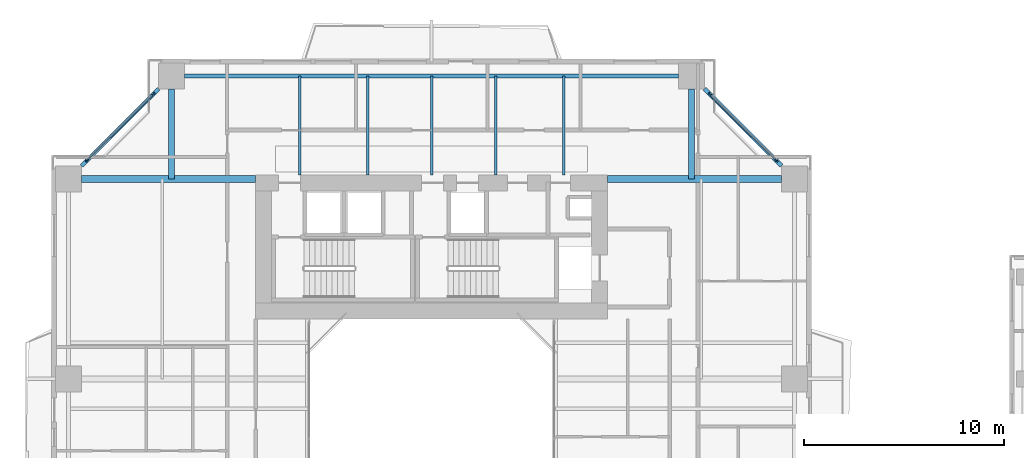
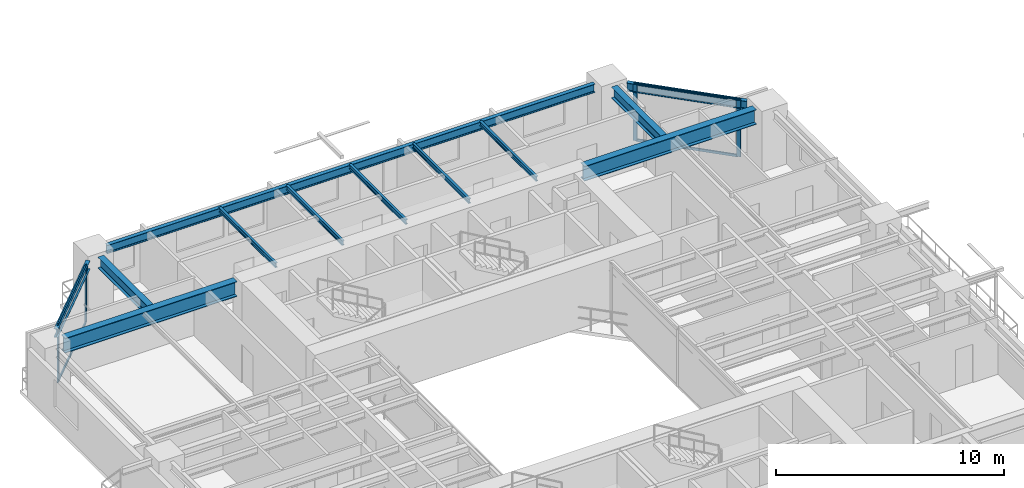
# One storey, part 9 of 23: 12 beams, 8 members, 2 elements without a shape of their own.
"""IFC4 building model written with IfcOpenShell, lengths in metres."""

from ifc_helpers import new_model, si_unit, direction, frame, origin, origin_2d, place, context, subcontext, project, spatial, rectangle, i_section, extrude, source, transform, mapped, material, layer, layer_set, material_profile, profile_set, type_object, element, aggregate, save


model = new_model("IFC4")

# Units and contexts
model_context = context("Model", 3, precision=1e-05, world=origin(), true_north=direction((0.0, 1.0)))
body_context = subcontext(model_context, "Body", "Model", "MODEL_VIEW")
ifc_project = project(units=[si_unit("LENGTHUNIT", "METRE"), si_unit("AREAUNIT", "SQUARE_METRE"), si_unit("VOLUMEUNIT", "CUBIC_METRE"), si_unit("PLANEANGLEUNIT", "RADIAN"), si_unit("MASSUNIT", "GRAM", prefix="KILO"), si_unit("THERMODYNAMICTEMPERATUREUNIT", "KELVIN"), si_unit("POWERUNIT", "WATT")], contexts=[model_context])

# Site, building, storey
site_placement = place(None, origin())
site = spatial("IfcSite", under=ifc_project, at=site_placement, CompositionType="ELEMENT")
building_placement = place(site_placement, origin())
building = spatial("IfcBuilding", under=site, at=building_placement, Name="Qiaomeng Ring Towers", CompositionType="ELEMENT")
storey_placement = place(building_placement, frame((0.0, 0.0, 76.25)))
storey = spatial("IfcBuildingStorey", under=building, at=storey_placement, Name="L21", CompositionType="ELEMENT", Elevation=76.25)

# Beams
ifc_material_1 = material(Name="Steel Q355B", Category="steel")
ifc_material_profile_1 = material_profile(ifc_material_1, i_section(OverallWidth=0.199951171875, OverallDepth=0.449951171875, WebThickness=0.009033203125, FlangeThickness=0.013916015625, FilletRadius=0.01806640625, at=origin_2d()), Name="HN 450x200x9x14")
ifc_profile_set_1 = profile_set([ifc_material_profile_1], Name="Steel Q355B")
beam_type_1 = type_object("IfcBeamType", Name="STR-BM-HN450", PredefinedType="SPANDREL", material=ifc_profile_set_1)
shared_shape_1 = source(origin(), body_context, "Body", "SweptSolid", [
    extrude(i_section(OverallWidth=0.199951171875, OverallDepth=0.449951171875, WebThickness=0.009033203125, FlangeThickness=0.013916015625, FilletRadius=0.01806640625, at=origin_2d()), origin(), (0.0, 0.0, 1.0), 24.7021484375),
])
beam_placement = place(storey_placement, frame((31.35107421875, 41.14990234375, 2.844970703125), z_axis=(-1.0, 0.0, 0.0), x_axis=(0.0, -1.0, 0.0)))
element("IfcBeam", 1, at=beam_placement, inside=storey, type_object=beam_type_1, Name="L21 beam STR-SP-L21-T1-N2-N1", PredefinedType="SPANDREL", context=body_context, shape_type="MappedRepresentation", body=[
    mapped(shared_shape_1, transform((0.0, 0.0, 0.0), x_axis=(1.0, 0.0, 0.0), y_axis=(0.0, 1.0, 0.0), z_axis=(0.0, 0.0, 1.0), scale=1.0)),
])
shared_shape_2 = source(origin(), body_context, "Body", "SweptSolid", [
    extrude(i_section(OverallWidth=0.199951171875, OverallDepth=0.449951171875, WebThickness=0.009033203125, FlangeThickness=0.013916015625, FilletRadius=0.01806640625, at=origin_2d()), origin(), (0.0, 0.0, 1.0), 5.446533203125),
])
for number, where, z_axis, x_axis, name in (
    (2, (36.500732421875, 36.6494140625, 2.844970703125), (-0.707106781187, 0.707106781187, 0.0), (-0.707106781187, -0.707106781187, 0.0), "L21 beam STR-SP-L21-T1-E4-N2"),
    (3, (5.3505859375, 40.500732421875, 2.844970703125), (-0.707106781187, -0.707106781187, 0.0), (0.707106781187, -0.707106781187, 0.0), "L21 beam STR-SP-L21-T1-N1-W4"),
):
    element("IfcBeam", number, at=place(storey_placement, frame(where, z_axis=z_axis, x_axis=x_axis)), inside=storey, type_object=beam_type_1, Name=name, PredefinedType="SPANDREL", context=body_context, shape_type="MappedRepresentation", body=[
        mapped(shared_shape_2, transform((0.0, 0.0, 0.0), x_axis=(1.0, 0.0, 0.0), y_axis=(0.0, 1.0, 0.0), z_axis=(0.0, 0.0, 1.0), scale=1.0)),
    ])
ifc_material_2 = material(Name="Steel Q390GJC", Category="steel")
ifc_material_profile_2 = material_profile(ifc_material_2, i_section(OverallWidth=0.35009765625, OverallDepth=0.800048828125, WebThickness=0.01611328125, FlangeThickness=0.028076171875, at=origin_2d()), Name="WH 800x350x16x28")
ifc_profile_set_2 = profile_set([ifc_material_profile_2], Name="Steel Q390GJC")
beam_type_2 = type_object("IfcBeamType", Name="STR-BM-WH800", PredefinedType="BEAM", material=ifc_profile_set_2)
shared_shape_3 = source(origin(), body_context, "Body", "SweptSolid", [
    extrude(i_section(OverallWidth=0.35009765625, OverallDepth=0.800048828125, WebThickness=0.01611328125, FlangeThickness=0.028076171875, at=origin_2d()), origin(), (0.0, 0.0, 1.0), 8.700927734375),
])
for number, where, z_axis, x_axis, name in (
    (4, (1.4990234375, 36.0, 2.669921875), (1.0, 0.0, 0.0), (0.0, 1.0, 0.0), "L21 beam STR-BM-L21-T1-RAD-W4"),
    (5, (27.800048828125, 36.0, 2.669921875), (1.0, 0.0, 0.0), (0.0, 1.0, 0.0), "L21 beam STR-BM-L21-T1-RAD-E4"),
):
    element("IfcBeam", number, at=place(storey_placement, frame(where, z_axis=z_axis, x_axis=x_axis)), inside=storey, type_object=beam_type_2, Name=name, PredefinedType="BEAM", context=body_context, shape_type="MappedRepresentation", body=[
        mapped(shared_shape_3, transform((0.0, 0.0, 0.0), x_axis=(1.0, 0.0, 0.0), y_axis=(0.0, 1.0, 0.0), z_axis=(0.0, 0.0, 1.0), scale=1.0)),
    ])
ifc_material_profile_3 = material_profile(ifc_material_1, i_section(OverallWidth=0.300048828125, OverallDepth=0.587890625, WebThickness=0.011962890625, FlangeThickness=0.02001953125, FilletRadius=0.028076171875, at=origin_2d()), Name="HM 588x300x12x20")
ifc_profile_set_3 = profile_set([ifc_material_profile_3], Name="Steel Q355B")
beam_type_3 = type_object("IfcBeamType", Name="STR-BM-HM588", PredefinedType="BEAM", material=ifc_profile_set_3)
shared_shape_4 = source(origin(), body_context, "Body", "SweptSolid", [
    extrude(i_section(OverallWidth=0.300048828125, OverallDepth=0.587890625, WebThickness=0.011962890625, FlangeThickness=0.02001953125, FilletRadius=0.028076171875, at=origin_2d()), origin(), (0.0, 0.0, 1.0), 4.5009765625),
])
for number, where, z_axis, x_axis, name in (
    (6, (6.0, 40.5009765625, 2.77587890625), (0.0, -1.0, 0.0), (1.0, 0.0, 0.0), "L21 beam STR-BM-L21-T1-RAD-N1"),
    (7, (32.0, 40.5009765625, 2.77587890625), (0.0, -1.0, 0.0), (1.0, 0.0, 0.0), "L21 beam STR-BM-L21-T1-RAD-N2"),
):
    element("IfcBeam", number, at=place(storey_placement, frame(where, z_axis=z_axis, x_axis=x_axis)), inside=storey, type_object=beam_type_3, Name=name, PredefinedType="BEAM", context=body_context, shape_type="MappedRepresentation", body=[
        mapped(shared_shape_4, transform((0.0, 0.0, 0.0), x_axis=(1.0, 0.0, 0.0), y_axis=(0.0, 1.0, 0.0), z_axis=(0.0, 0.0, 1.0), scale=1.0)),
    ])
ifc_material_profile_4 = material_profile(ifc_material_1, i_section(OverallWidth=0.125, OverallDepth=0.25, WebThickness=0.006103515625, FlangeThickness=0.009033203125, FilletRadius=0.011962890625, at=origin_2d()), Name="HN 250x125x6x9")
ifc_profile_set_4 = profile_set([ifc_material_profile_4], Name="Steel Q355B")
beam_type_4 = type_object("IfcBeamType", Name="STR-BM-HN250", PredefinedType="JOIST", material=ifc_profile_set_4)
shared_shape_5 = source(origin(), body_context, "Body", "SweptSolid", [
    extrude(i_section(OverallWidth=0.125, OverallDepth=0.25, WebThickness=0.006103515625, FlangeThickness=0.009033203125, FilletRadius=0.011962890625, at=origin_2d()), origin(), (0.0, 0.0, 1.0), 4.949951171875),
])
for number, where, z_axis, x_axis, name in (
    (8, (12.39990234375, 36.199951171875, 2.945068359375), (0.0, 1.0, 0.0), (-1.0, 0.0, 0.0), "L21 beam STR-JST-L21-T1N-1"),
    (9, (15.800048828125, 36.199951171875, 2.945068359375), (0.0, 1.0, 0.0), (-1.0, 0.0, 0.0), "L21 beam STR-JST-L21-T1N-2"),
    (10, (19.0, 36.199951171875, 2.945068359375), (0.0, 1.0, 0.0), (-1.0, 0.0, 0.0), "L21 beam STR-JST-L21-T1N-3"),
    (11, (22.199951171875, 36.199951171875, 2.945068359375), (0.0, 1.0, 0.0), (-1.0, 0.0, 0.0), "L21 beam STR-JST-L21-T1N-4"),
    (12, (25.60009765625, 36.199951171875, 2.945068359375), (0.0, 1.0, 0.0), (-1.0, 0.0, 0.0), "L21 beam STR-JST-L21-T1N-5"),
):
    element("IfcBeam", number, at=place(storey_placement, frame(where, z_axis=z_axis, x_axis=x_axis)), inside=storey, type_object=beam_type_4, Name=name, PredefinedType="JOIST", context=body_context, shape_type="MappedRepresentation", body=[
        mapped(shared_shape_5, transform((0.0, 0.0, 0.0), x_axis=(1.0, 0.0, 0.0), y_axis=(0.0, 1.0, 0.0), z_axis=(0.0, 0.0, 1.0), scale=1.0)),
    ])

# Curtain wall, members
ifc_material_3 = material(Name="Fluorocarbon dark-grey aluminium", Category="aluminium")
ifc_layer = layer(ifc_material_3, 0.159912109375, Name="Fluorocarbon dark-grey aluminium")
ifc_layer_set = layer_set([ifc_layer], Name="Fluorocarbon dark-grey aluminium")
curtain_wall_type = type_object("IfcCurtainWallType", Name="ARC-CW-2", PredefinedType="NOTDEFINED", material=ifc_layer_set)
curtain_wall_1_placement = place(storey_placement, origin())
curtain_wall_1 = element("IfcCurtainWall", 13, at=curtain_wall_1_placement, inside=storey, type_object=curtain_wall_type, Name="L21 Curtain Wall CW2", PredefinedType="NOTDEFINED")
ifc_material_profile_5 = material_profile(ifc_material_3, rectangle(XDim=0.070068359375, YDim=0.179931640625, at=origin_2d()), Name="ALU MULL 70x180")
ifc_profile_set_5 = profile_set([ifc_material_profile_5], Name="Fluorocarbon dark-grey aluminium")
member_type_1 = type_object("IfcMemberType", Name="ARC-CWM-160", PredefinedType="MULLION", material=ifc_profile_set_5)
shared_shape_6 = source(origin(), body_context, "Body", "SweptSolid", [
    extrude(rectangle(XDim=0.070068359375, YDim=0.179931640625, at=origin_2d()), origin(), (0.0, 0.0, 1.0), 3.070068359375),
])
member_1_placement = place(storey_placement, frame((36.2353515625, 36.914794921875, 0.0), z_axis=(0.0, 0.0, 1.0), x_axis=(-0.707106781187, -0.707106781187, 0.0)))
member_1 = element("IfcMember", 14, at=member_1_placement, type_object=member_type_1, Name="CW2 mullion 1", PredefinedType="MULLION", context=body_context, shape_type="MappedRepresentation", body=[
    mapped(shared_shape_6, transform((0.0, 0.0, 0.0), x_axis=(1.0, 0.0, 0.0), y_axis=(0.0, 1.0, 0.0), z_axis=(0.0, 0.0, 1.0), scale=1.0)),
])
member_2_placement = place(storey_placement, frame((32.914794921875, 40.2353515625, 0.0), z_axis=(0.0, 0.0, 1.0), x_axis=(-0.707106781187, -0.707106781187, 0.0)))
member_2 = element("IfcMember", 15, at=member_2_placement, type_object=member_type_1, Name="CW2 mullion 2", PredefinedType="MULLION", context=body_context, shape_type="MappedRepresentation", body=[
    mapped(shared_shape_6, transform((0.0, 0.0, 0.0), x_axis=(1.0, 0.0, 0.0), y_axis=(0.0, 1.0, 0.0), z_axis=(0.0, 0.0, 1.0), scale=1.0)),
])

curtain_wall_2_placement = place(storey_placement, origin())
curtain_wall_2 = element("IfcCurtainWall", 16, at=curtain_wall_2_placement, inside=storey, type_object=curtain_wall_type, Name="L21 Curtain Wall CW2", PredefinedType="NOTDEFINED")
member_3_placement = place(storey_placement, frame((5.085205078125, 40.2353515625, 0.0), z_axis=(0.0, 0.0, 1.0), x_axis=(0.707106781187, -0.707106781187, 0.0)))
member_3 = element("IfcMember", 17, at=member_3_placement, type_object=member_type_1, Name="CW2 mullion 1", PredefinedType="MULLION", context=body_context, shape_type="MappedRepresentation", body=[
    mapped(shared_shape_6, transform((0.0, 0.0, 0.0), x_axis=(1.0, 0.0, 0.0), y_axis=(0.0, 1.0, 0.0), z_axis=(0.0, 0.0, 1.0), scale=1.0)),
])
member_4_placement = place(storey_placement, frame((1.7646484375, 36.914794921875, 0.0), z_axis=(0.0, 0.0, 1.0), x_axis=(0.707106781187, -0.707106781187, 0.0)))
member_4 = element("IfcMember", 18, at=member_4_placement, type_object=member_type_1, Name="CW2 mullion 2", PredefinedType="MULLION", context=body_context, shape_type="MappedRepresentation", body=[
    mapped(shared_shape_6, transform((0.0, 0.0, 0.0), x_axis=(1.0, 0.0, 0.0), y_axis=(0.0, 1.0, 0.0), z_axis=(0.0, 0.0, 1.0), scale=1.0)),
])

# Member
ifc_material_profile_6 = material_profile(ifc_material_3, rectangle(XDim=0.06494140625, YDim=0.1298828125, at=origin_2d()), Name="ALU TRAN 65x130")
ifc_profile_set_6 = profile_set([ifc_material_profile_6], Name="Fluorocarbon dark-grey aluminium")
member_type_2 = type_object("IfcMemberType", Name="ARC-CWT-120", PredefinedType="USERDEFINED", material=ifc_profile_set_6)
shared_shape_7 = source(origin(), body_context, "Body", "SweptSolid", [
    extrude(rectangle(XDim=0.06494140625, YDim=0.1298828125, at=origin_2d()), origin(), (0.0, 0.0, 1.0), 4.6259765625),
])
member_5_placement = place(storey_placement, frame((36.21044921875, 36.939453125, 0.032470703125), z_axis=(-0.707106781187, 0.707106781187, 0.0), x_axis=(-0.707106781187, -0.707106781187, 0.0)))
member_5 = element("IfcMember", 19, at=member_5_placement, type_object=member_type_2, Name="CW2 transom 1.1", ObjectType="TRANSOM", PredefinedType="USERDEFINED", context=body_context, shape_type="MappedRepresentation", body=[
    mapped(shared_shape_7, transform((0.0, 0.0, 0.0), x_axis=(1.0, 0.0, 0.0), y_axis=(0.0, 1.0, 0.0), z_axis=(0.0, 0.0, 1.0), scale=1.0)),
])

member_6_placement = place(storey_placement, frame((36.21044921875, 36.939453125, 3.03759765625), z_axis=(-0.707106781187, 0.707106781187, 0.0), x_axis=(-0.707106781187, -0.707106781187, 0.0)))
member_6 = element("IfcMember", 20, at=member_6_placement, type_object=member_type_2, Name="CW2 transom 1.2", ObjectType="TRANSOM", PredefinedType="USERDEFINED", context=body_context, shape_type="MappedRepresentation", body=[
    mapped(shared_shape_7, transform((0.0, 0.0, 0.0), x_axis=(1.0, 0.0, 0.0), y_axis=(0.0, 1.0, 0.0), z_axis=(0.0, 0.0, 1.0), scale=1.0)),
])

aggregate(curtain_wall_1, [member_1, member_2, member_5, member_6])

member_7_placement = place(storey_placement, frame((5.060546875, 40.21044921875, 0.032470703125), z_axis=(-0.707106781187, -0.707106781187, 0.0), x_axis=(0.707106781187, -0.707106781187, 0.0)))
member_7 = element("IfcMember", 21, at=member_7_placement, type_object=member_type_2, Name="CW2 transom 1.1", ObjectType="TRANSOM", PredefinedType="USERDEFINED", context=body_context, shape_type="MappedRepresentation", body=[
    mapped(shared_shape_7, transform((0.0, 0.0, 0.0), x_axis=(1.0, 0.0, 0.0), y_axis=(0.0, 1.0, 0.0), z_axis=(0.0, 0.0, 1.0), scale=1.0)),
])

member_8_placement = place(storey_placement, frame((5.060546875, 40.21044921875, 3.03759765625), z_axis=(-0.707106781187, -0.707106781187, 0.0), x_axis=(0.707106781187, -0.707106781187, 0.0)))
member_8 = element("IfcMember", 22, at=member_8_placement, type_object=member_type_2, Name="CW2 transom 1.2", ObjectType="TRANSOM", PredefinedType="USERDEFINED", context=body_context, shape_type="MappedRepresentation", body=[
    mapped(shared_shape_7, transform((0.0, 0.0, 0.0), x_axis=(1.0, 0.0, 0.0), y_axis=(0.0, 1.0, 0.0), z_axis=(0.0, 0.0, 1.0), scale=1.0)),
])

aggregate(curtain_wall_2, [member_3, member_4, member_7, member_8])

save(model, "model.ifc")
